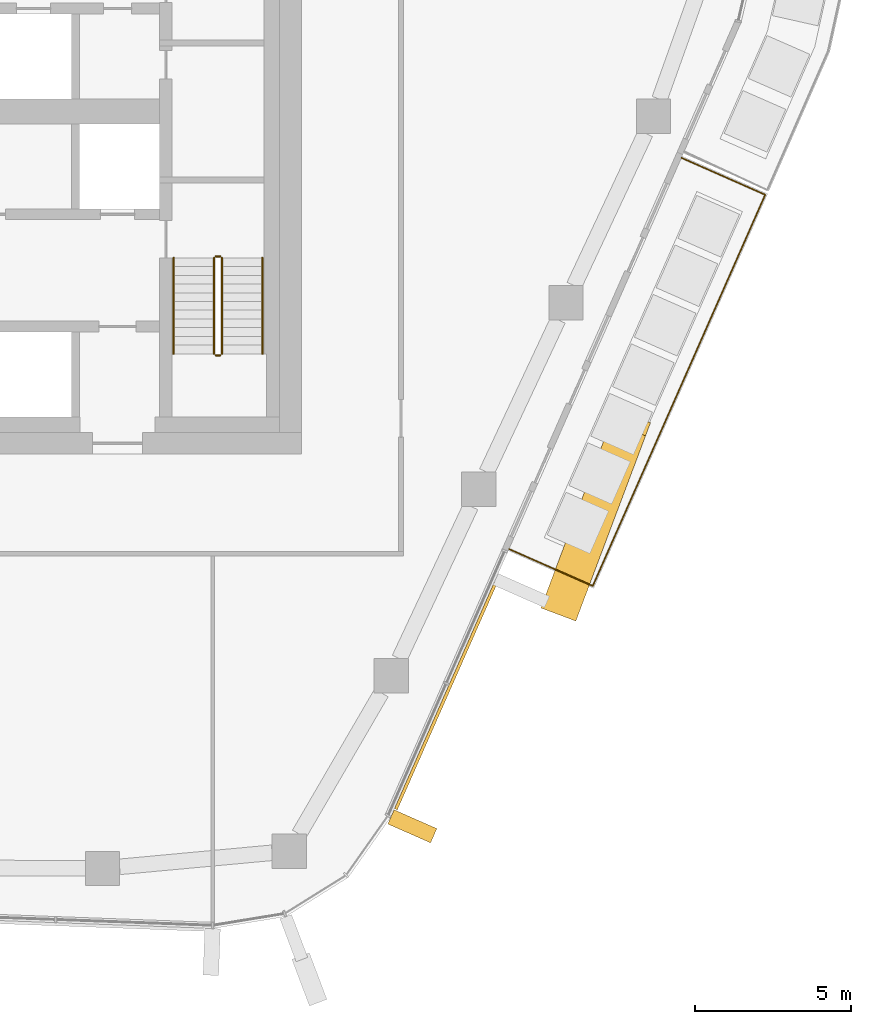
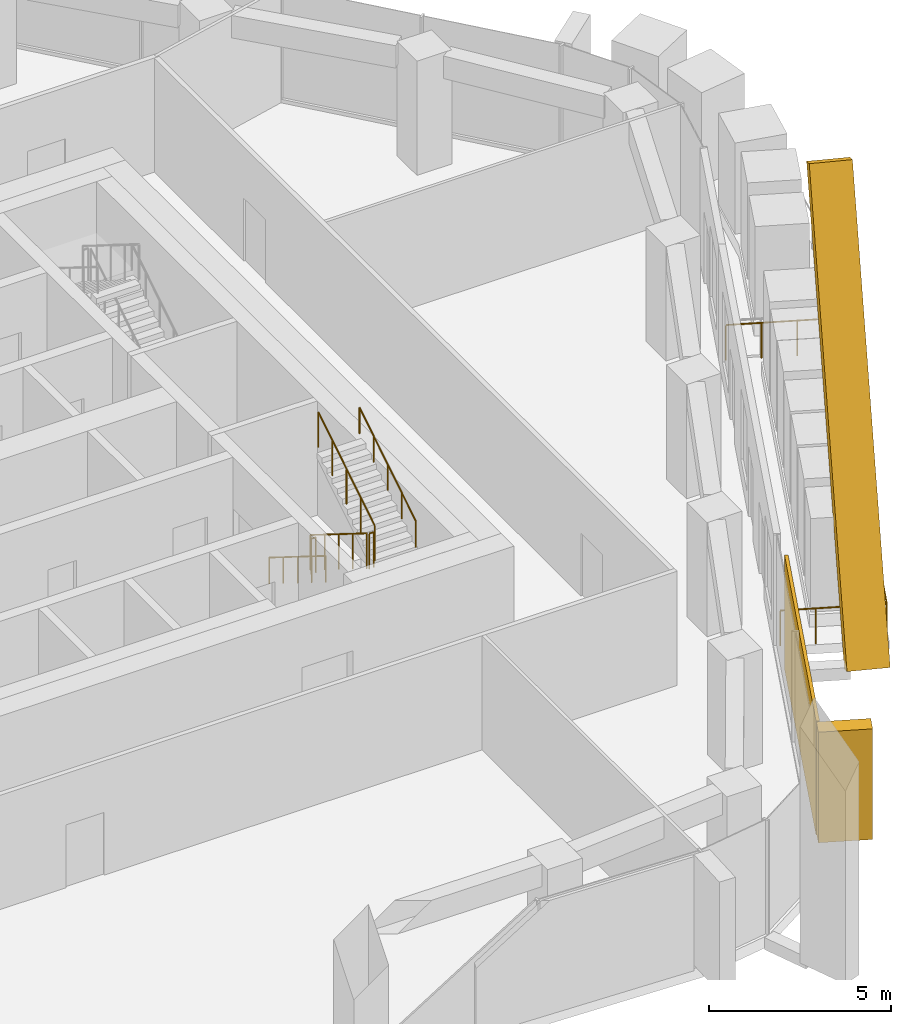
# One storey, part 16 of 20: 7 railings, 3 coverings, 1 element without a shape of its own.
"""IFC4 building model written with IfcOpenShell, lengths in metres."""

from ifc_helpers import new_model, si_unit, direction, frame, origin, origin_2d, place, context, subcontext, project, spatial, rectangle, circle, extrude, material, layer, layer_set, material_profile, profile_set, type_object, element, aggregate, save


model = new_model("IFC4")

# Units and contexts
model_context = context("Model", 3, precision=1e-05, world=origin(), true_north=direction((0.0, 1.0)))
body_context = subcontext(model_context, "Body", "Model", "MODEL_VIEW")
ifc_project = project(units=[si_unit("LENGTHUNIT", "METRE"), si_unit("AREAUNIT", "SQUARE_METRE"), si_unit("VOLUMEUNIT", "CUBIC_METRE"), si_unit("PLANEANGLEUNIT", "RADIAN"), si_unit("MASSUNIT", "GRAM", prefix="KILO")], contexts=[model_context])

# Site, building, storey
site_placement = place(None, origin())
site = spatial("IfcSite", under=ifc_project, at=site_placement, CompositionType="ELEMENT")
building_placement = place(site_placement, origin())
building = spatial("IfcBuilding", under=site, at=building_placement, Name="Dongbaek Canopy Tower", CompositionType="ELEMENT")
storey_placement = place(building_placement, frame((0.0, 0.0, 266.39990234375)))
storey = spatial("IfcBuildingStorey", under=building, at=storey_placement, Name="L56", CompositionType="ELEMENT", Elevation=266.39990234375)

# Railing
ifc_material_1 = material(Name="Stainless steel", Category="steel")
railing_type_1 = type_object("IfcRailingType", Name="Balcony balustrade 1200", PredefinedType="BALUSTRADE", material=ifc_material_1)
railing_1_placement = place(storey_placement, frame((20.66650390625, -14.046630859375, 0.0)))
element("IfcRailing", 1, at=railing_1_placement, inside=storey, type_object=railing_type_1, Name="Balcony guard L56 3", PredefinedType="BALUSTRADE", context=body_context, shape_type="SweptSolid", body=[
    extrude(circle(Radius=0.02392578125, at=origin_2d()), frame((0.0, 0.0, 1.17578125), z_axis=(0.915050344332, -0.403339642656, 0.0), x_axis=(0.403339642656, 0.915050344332, 0.0)), (0.0, 0.0, 1.0), 2.93994140625),
    extrude(circle(Radius=0.02392578125, at=origin_2d()), frame((2.690185546875, -1.185791015625, 1.17578125), z_axis=(0.403289373455, 0.915072500547, 0.0), x_axis=(-0.915072500547, 0.403289373455, 0.0)), (0.0, 0.0, 1.0), 13.724365234375),
    extrude(circle(Radius=0.02392578125, at=origin_2d()), frame((8.22509765625, 11.373046875, 1.17578125), z_axis=(-0.915094495807, 0.403239462036, 0.0), x_axis=(-0.403239462036, -0.915094495807, 0.0)), (0.0, 0.0, 1.0), 2.93994140625),
    extrude(circle(Radius=0.02099609375, at=origin_2d()), origin(), (0.0, 0.0, 1.0), 1.15185546875),
    extrude(circle(Radius=0.02099609375, at=origin_2d()), frame((0.896728515625, -0.395263671875, 0.0)), (0.0, 0.0, 1.0), 1.15185546875),
    extrude(circle(Radius=0.02099609375, at=origin_2d()), frame((1.79345703125, -0.79052734375, 0.0)), (0.0, 0.0, 1.0), 1.15185546875),
    extrude(circle(Radius=0.02099609375, at=origin_2d()), frame((2.690185546875, -1.185791015625, 0.0)), (0.0, 0.0, 1.0), 1.15185546875),
    extrude(circle(Radius=0.02099609375, at=origin_2d()), frame((3.1513671875, -0.13916015625, 0.0)), (0.0, 0.0, 1.0), 1.15185546875),
    extrude(circle(Radius=0.02099609375, at=origin_2d()), frame((3.61279296875, 0.9072265625, 0.0)), (0.0, 0.0, 1.0), 1.15185546875),
    extrude(circle(Radius=0.02099609375, at=origin_2d()), frame((4.073974609375, 1.953857421875, 0.0)), (0.0, 0.0, 1.0), 1.15185546875),
    extrude(circle(Radius=0.02099609375, at=origin_2d()), frame((4.53515625, 3.00048828125, 0.0)), (0.0, 0.0, 1.0), 1.15185546875),
    extrude(circle(Radius=0.02099609375, at=origin_2d()), frame((4.996337890625, 4.047119140625, 0.0)), (0.0, 0.0, 1.0), 1.15185546875),
    extrude(circle(Radius=0.02099609375, at=origin_2d()), frame((5.45751953125, 5.09375, 0.0)), (0.0, 0.0, 1.0), 1.15185546875),
    extrude(circle(Radius=0.02099609375, at=origin_2d()), frame((5.9189453125, 6.14013671875, 0.0)), (0.0, 0.0, 1.0), 1.15185546875),
    extrude(circle(Radius=0.02099609375, at=origin_2d()), frame((6.380126953125, 7.186767578125, 0.0)), (0.0, 0.0, 1.0), 1.15185546875),
    extrude(circle(Radius=0.02099609375, at=origin_2d()), frame((6.84130859375, 8.2333984375, 0.0)), (0.0, 0.0, 1.0), 1.15185546875),
    extrude(circle(Radius=0.02099609375, at=origin_2d()), frame((7.302734375, 9.27978515625, 0.0)), (0.0, 0.0, 1.0), 1.15185546875),
    extrude(circle(Radius=0.02099609375, at=origin_2d()), frame((7.763916015625, 10.326416015625, 0.0)), (0.0, 0.0, 1.0), 1.15185546875),
    extrude(circle(Radius=0.02099609375, at=origin_2d()), frame((8.22509765625, 11.373046875, 0.0)), (0.0, 0.0, 1.0), 1.15185546875),
    extrude(circle(Radius=0.02099609375, at=origin_2d()), frame((7.328369140625, 11.768310546875, 0.0)), (0.0, 0.0, 1.0), 1.15185546875),
    extrude(circle(Radius=0.02099609375, at=origin_2d()), frame((6.431396484375, 12.163330078125, 0.0)), (0.0, 0.0, 1.0), 1.15185546875),
    extrude(circle(Radius=0.02099609375, at=origin_2d()), frame((5.53466796875, 12.55859375, 0.0)), (0.0, 0.0, 1.0), 1.15185546875),
])

# Curtain wall, coverings
ifc_material_2 = material(Name="Aluminium 6063-T6 pale anodised", Category="aluminium")
ifc_layer_1 = layer(ifc_material_2, 0.199951171875)
ifc_layer_set_1 = layer_set([ifc_layer_1], Name="CW-1 unitised tower curtain wall")
curtain_wall_type = type_object("IfcCurtainWallType", Name="CW-1 unitised tower curtain wall", PredefinedType="NOTDEFINED", material=ifc_layer_set_1)
curtain_wall_placement = place(storey_placement, origin())
curtain_wall = element("IfcCurtainWall", 2, at=curtain_wall_placement, inside=storey, type_object=curtain_wall_type, Name="CW-1 curtain wall F5.1", PredefinedType="NOTDEFINED")
ifc_material_3 = material(Name="Aluminium 6063-T6 pale metal fin", Category="aluminium")
ifc_material_profile_1 = material_profile(ifc_material_3, rectangle(XDim=1.199951171875, YDim=0.5, at=origin_2d()), Name="Crease fin CF1 500 x 1200 pale metal")
ifc_profile_set_1 = profile_set([ifc_material_profile_1], Name="Aluminium 6063-T6 pale metal fin")
covering_type_1 = type_object("IfcCoveringType", Name="Crease fin CF1 500 x 1200 pale metal", PredefinedType="CLADDING", material=ifc_profile_set_1)
covering_1_placement = place(storey_placement, frame((22.329345703125, -15.939697265625, -0.18994140625), z_axis=(0.158689377942, 0.421505144833, 0.892833183863), x_axis=(-0.935872196669, 0.352339653603, 0.0)))
covering_1 = element("IfcCovering", 3, at=covering_1_placement, type_object=covering_type_1, Name="Crease fin L56 L59 F5", PredefinedType="CLADDING", context=body_context, shape_type="SweptSolid", body=[
    extrude(rectangle(XDim=1.199951171875, YDim=0.5, at=origin_2d()), origin(), (0.0, 0.0, 1.0), 14.112548828125),
])
ifc_material_4 = material(Name="Perforated aluminium 6063-T6 pale metal screen", Category="aluminium")
ifc_layer_2 = layer(ifc_material_4, 0.10009765625)
ifc_layer_set_2 = layer_set([ifc_layer_2], Name="Facet screen FS1 100 pale metal")
covering_type_2 = type_object("IfcCoveringType", Name="Facet screen FS1 100 pale metal", PredefinedType="CLADDING", material=ifc_layer_set_2)
covering_2_placement = place(storey_placement, frame((18.643798828125, -18.75, 0.0), z_axis=(0.0, 0.0, 1.0), x_axis=(0.403288178578, 0.915073027151, 0.0)))
covering_2 = element("IfcCovering", 4, at=covering_2_placement, type_object=covering_type_2, Name="Facet screen L56 F5", PredefinedType="CLADDING", context=body_context, shape_type="SweptSolid", body=[
    extrude(rectangle(XDim=7.973388671875, YDim=0.10009765625, at=origin_2d()), origin(), (0.0, 0.0, 1.0), 3.820068359375),
])
ifc_material_5 = material(Name="Aluminium 6063-T6 pale metal fin", Category="aluminium")
ifc_material_profile_2 = material_profile(ifc_material_5, rectangle(XDim=1.5, YDim=0.5, at=origin_2d()), Name="Fin FN1 500 x 1500 pale metal")
ifc_profile_set_2 = profile_set([ifc_material_profile_2], Name="Aluminium 6063-T6 pale metal fin")
covering_type_3 = type_object("IfcCoveringType", Name="Fin FN1 500 x 1500 pale metal", PredefinedType="CLADDING", material=ifc_profile_set_2)
covering_3_placement = place(storey_placement, frame((17.563232421875, -22.947509765625, 0.1201171875), z_axis=(0.0, 0.0, 1.0), x_axis=(0.915073119112, -0.403287969917, 0.0)))
covering_3 = element("IfcCovering", 5, at=covering_3_placement, type_object=covering_type_3, Name="Fin F5.1.1", PredefinedType="CLADDING", context=body_context, shape_type="SweptSolid", body=[
    extrude(rectangle(XDim=1.5, YDim=0.5, at=origin_2d()), origin(), (0.0, 0.0, 1.0), 3.699951171875),
])
aggregate(curtain_wall, [covering_3, covering_1, covering_2])

# Railings
ifc_material_6 = material(Name="Stainless steel tube and balusters", Category="steel")
railing_type_2 = type_object("IfcRailingType", Name="Stair guard 1200", PredefinedType="GUARDRAIL", material=ifc_material_6)
railing_2_placement = place(storey_placement, frame((11.199951171875, -4.699951171875, 0.175048828125)))
element("IfcRailing", 6, at=railing_2_placement, inside=storey, type_object=railing_type_2, Name="L56 ST-B stair guard 1", PredefinedType="GUARDRAIL", context=body_context, shape_type="SweptSolid", body=[
    extrude(circle(Radius=0.02392578125, at=origin_2d()), frame((0.0, 0.0, 1.17578125), z_axis=(0.0, -0.847998304005, 0.529998940003), x_axis=(1.0, 0.0, 0.0)), (0.0, 0.0, 1.0), 3.632080078125),
    extrude(circle(Radius=0.02099609375, at=origin_2d()), origin(), (0.0, 0.0, 1.0), 1.15185546875),
    extrude(circle(Radius=0.02099609375, at=origin_2d()), frame((0.0, -0.77001953125, 0.481201171875)), (0.0, 0.0, 1.0), 1.15185546875),
    extrude(circle(Radius=0.02099609375, at=origin_2d()), frame((0.0, -1.5400390625, 0.96240234375)), (0.0, 0.0, 1.0), 1.15185546875),
    extrude(circle(Radius=0.02099609375, at=origin_2d()), frame((0.0, -2.31005859375, 1.44384765625)), (0.0, 0.0, 1.0), 1.15185546875),
    extrude(circle(Radius=0.02099609375, at=origin_2d()), frame((0.0, -3.080078125, 1.925048828125)), (0.0, 0.0, 1.0), 1.15185546875),
])
railing_3_placement = place(storey_placement, frame((11.25, -7.830078125, 2.10009765625)))
element("IfcRailing", 7, at=railing_3_placement, inside=storey, type_object=railing_type_2, Name="L56 ST-B stair guard 2", PredefinedType="GUARDRAIL", context=body_context, shape_type="SweptSolid", body=[
    extrude(circle(Radius=0.02392578125, at=origin_2d()), frame((0.0, 0.0, 1.17578125), z_axis=(1.0, 0.0, 0.0), x_axis=(0.0, 1.0, 0.0)), (0.0, 0.0, 1.0), 0.14990234375),
    extrude(circle(Radius=0.02099609375, at=origin_2d()), origin(), (0.0, 0.0, 1.0), 1.15185546875),
    extrude(circle(Radius=0.02099609375, at=origin_2d()), frame((0.14990234375, 0.0, 0.0)), (0.0, 0.0, 1.0), 1.15185546875),
])
railing_4_placement = place(storey_placement, frame((11.449951171875, -7.780029296875, 2.275146484375)))
element("IfcRailing", 8, at=railing_4_placement, inside=storey, type_object=railing_type_2, Name="L56 ST-B stair guard 3", PredefinedType="GUARDRAIL", context=body_context, shape_type="SweptSolid", body=[
    extrude(circle(Radius=0.02392578125, at=origin_2d()), frame((0.0, 0.0, 1.17578125), z_axis=(0.0, 0.847998304005, 0.529998940003), x_axis=(-1.0, 0.0, 0.0)), (0.0, 0.0, 1.0), 3.632080078125),
    extrude(circle(Radius=0.02099609375, at=origin_2d()), origin(), (0.0, 0.0, 1.0), 1.15185546875),
    extrude(circle(Radius=0.02099609375, at=origin_2d()), frame((0.0, 0.77001953125, 0.481201171875)), (0.0, 0.0, 1.0), 1.15185546875),
    extrude(circle(Radius=0.02099609375, at=origin_2d()), frame((0.0, 1.5400390625, 0.96240234375)), (0.0, 0.0, 1.0), 1.15185546875),
    extrude(circle(Radius=0.02099609375, at=origin_2d()), frame((0.0, 2.31005859375, 1.44384765625)), (0.0, 0.0, 1.0), 1.15185546875),
    extrude(circle(Radius=0.02099609375, at=origin_2d()), frame((0.0, 3.080078125, 1.925048828125)), (0.0, 0.0, 1.0), 1.15185546875),
])
railing_5_placement = place(storey_placement, frame((11.25, -4.64990234375, 0.0)))
element("IfcRailing", 9, at=railing_5_placement, inside=storey, type_object=railing_type_2, Name="L56 ST-B stair guard 4", PredefinedType="GUARDRAIL", context=body_context, shape_type="SweptSolid", body=[
    extrude(circle(Radius=0.02392578125, at=origin_2d()), frame((0.0, 0.0, 1.17578125), z_axis=(1.0, 0.0, 0.0), x_axis=(0.0, 1.0, 0.0)), (0.0, 0.0, 1.0), 0.14990234375),
    extrude(circle(Radius=0.02099609375, at=origin_2d()), origin(), (0.0, 0.0, 1.0), 1.15185546875),
    extrude(circle(Radius=0.02099609375, at=origin_2d()), frame((0.14990234375, 0.0, 0.0)), (0.0, 0.0, 1.0), 1.15185546875),
])
ifc_material_7 = material(Name="Stainless steel tube", Category="steel")
railing_type_3 = type_object("IfcRailingType", Name="Stair handrail 900", PredefinedType="HANDRAIL", material=ifc_material_7)
railing_6_placement = place(storey_placement, frame((9.89990234375, -4.699951171875, 0.175048828125)))
element("IfcRailing", 10, at=railing_6_placement, inside=storey, type_object=railing_type_3, Name="L56 ST-B stair handrail 1", PredefinedType="HANDRAIL", context=body_context, shape_type="SweptSolid", body=[
    extrude(circle(Radius=0.02392578125, at=origin_2d()), frame((0.0, 0.0, 0.8759765625), z_axis=(0.0, -0.847998304005, 0.529998940003), x_axis=(1.0, 0.0, 0.0)), (0.0, 0.0, 1.0), 3.632080078125),
    extrude(circle(Radius=0.02099609375, at=origin_2d()), origin(), (0.0, 0.0, 1.0), 0.851806640625),
    extrude(circle(Radius=0.02099609375, at=origin_2d()), frame((0.0, -0.77001953125, 0.481201171875)), (0.0, 0.0, 1.0), 0.851806640625),
    extrude(circle(Radius=0.02099609375, at=origin_2d()), frame((0.0, -1.5400390625, 0.96240234375)), (0.0, 0.0, 1.0), 0.851806640625),
    extrude(circle(Radius=0.02099609375, at=origin_2d()), frame((0.0, -2.31005859375, 1.44384765625)), (0.0, 0.0, 1.0), 0.851806640625),
    extrude(circle(Radius=0.02099609375, at=origin_2d()), frame((0.0, -3.080078125, 1.925048828125)), (0.0, 0.0, 1.0), 0.851806640625),
])
railing_7_placement = place(storey_placement, frame((12.75, -7.780029296875, 2.275146484375)))
element("IfcRailing", 11, at=railing_7_placement, inside=storey, type_object=railing_type_3, Name="L56 ST-B stair handrail 2", PredefinedType="HANDRAIL", context=body_context, shape_type="SweptSolid", body=[
    extrude(circle(Radius=0.02392578125, at=origin_2d()), frame((0.0, 0.0, 0.8759765625), z_axis=(0.0, 0.847998304005, 0.529998940003), x_axis=(-1.0, 0.0, 0.0)), (0.0, 0.0, 1.0), 3.632080078125),
    extrude(circle(Radius=0.02099609375, at=origin_2d()), origin(), (0.0, 0.0, 1.0), 0.851806640625),
    extrude(circle(Radius=0.02099609375, at=origin_2d()), frame((0.0, 0.77001953125, 0.481201171875)), (0.0, 0.0, 1.0), 0.851806640625),
    extrude(circle(Radius=0.02099609375, at=origin_2d()), frame((0.0, 1.5400390625, 0.96240234375)), (0.0, 0.0, 1.0), 0.851806640625),
    extrude(circle(Radius=0.02099609375, at=origin_2d()), frame((0.0, 2.31005859375, 1.44384765625)), (0.0, 0.0, 1.0), 0.851806640625),
    extrude(circle(Radius=0.02099609375, at=origin_2d()), frame((0.0, 3.080078125, 1.925048828125)), (0.0, 0.0, 1.0), 0.851806640625),
])

save(model, "model.ifc")
